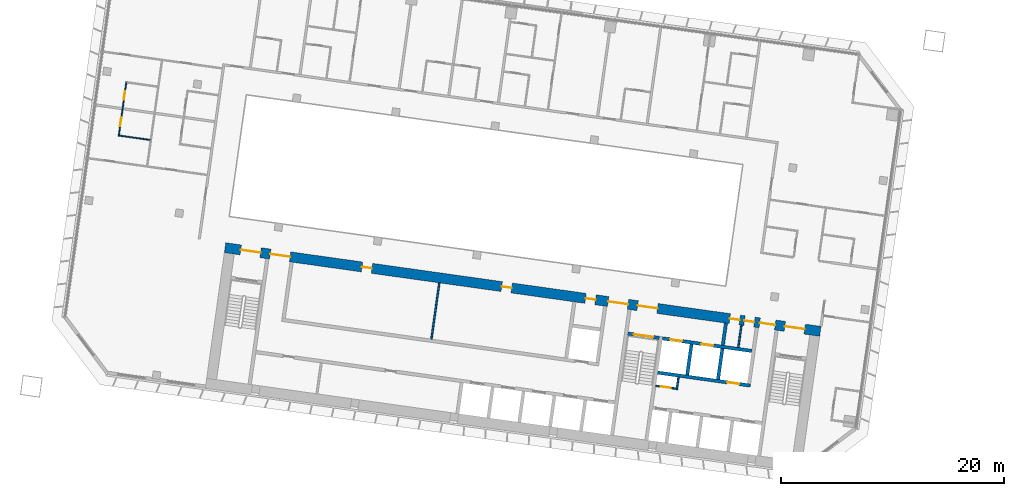
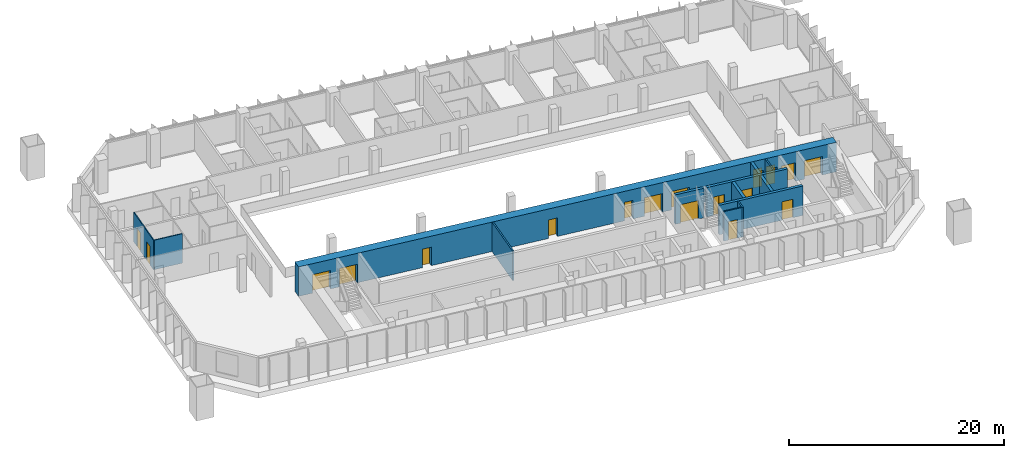
# One storey, part 15 of 25: 18 doors, 13 walls, 18 openings.
"""IFC4 building model written with IfcOpenShell, lengths in metres."""

from ifc_helpers import new_model, si_unit, direction, frame, frame_2d, origin, place, context, subcontext, project, spatial, rectangle, extrude, material, layer, layer_set, type_object, element, fill, save


model = new_model("IFC4")

# Units and contexts
model_context = context("Model", 3, precision=1e-05, world=origin(), true_north=direction((0.0, 1.0)))
body_context = subcontext(model_context, "Body", "Model", "MODEL_VIEW")
ifc_project = project(units=[si_unit("LENGTHUNIT", "METRE"), si_unit("AREAUNIT", "SQUARE_METRE"), si_unit("VOLUMEUNIT", "CUBIC_METRE"), si_unit("PLANEANGLEUNIT", "RADIAN"), si_unit("MASSUNIT", "GRAM", prefix="KILO")], contexts=[model_context])

# Site, building, storey
site_placement = place(None, origin())
site = spatial("IfcSite", under=ifc_project, at=site_placement, CompositionType="ELEMENT")
building_placement = place(site_placement, origin())
building = spatial("IfcBuilding", under=site, at=building_placement, Name="Mirante Cascada Hotel Towers", CompositionType="ELEMENT")
storey_placement = place(building_placement, frame((0.0, 0.0, 58.5)))
storey = spatial("IfcBuildingStorey", under=building, at=storey_placement, Name="L11", CompositionType="ELEMENT", Elevation=58.5)

# Wall
ifc_material_1 = material(Name="Masonry block", Category="masonry")
ifc_layer_1 = layer(ifc_material_1, 0.15)
ifc_layer_set_1 = layer_set([ifc_layer_1], Name="Core room partition 150 block EI 30")
wall_type_1 = type_object("IfcWallType", Name="Core room partition 150 block EI 30", PredefinedType="PARTITIONING", material=ifc_layer_set_1)
wall_1_placement = place(storey_placement, frame((-48.2295, -12.793, 0.0), z_axis=(0.0, 0.0, 1.0), x_axis=(0.1391935, 0.9902652, 0.0)))
element("IfcWall", 1, at=wall_1_placement, inside=storey, type_object=wall_type_1, Name="Core wall partition T1 L11 2", PredefinedType="PARTITIONING", context=body_context, shape_type="SweptSolid", body=[
    extrude(rectangle(XDim=1.1251, YDim=0.15, at=frame_2d((0.5626, 0.0))), origin(), (0.0, 0.0, 1.0), 3.35),
])

# Wall, opening, door
wall_2_placement = place(storey_placement, frame((-48.2933, -12.7083, 0.0), z_axis=(0.0, 0.0, 1.0), x_axis=(-0.990268, 0.1391734, 0.0)))
wall_2 = element("IfcWall", 2, at=wall_2_placement, inside=storey, type_object=wall_type_1, Name="Core wall partition T1 L11 3", PredefinedType="PARTITIONING", context=body_context, shape_type="SweptSolid", body=[
    extrude(rectangle(XDim=1.8251, YDim=0.15, at=frame_2d((0.9126, 0.0))), origin(), (0.0, 0.0, 1.0), 3.35),
])
opening_1_placement = place(wall_2_placement, frame((0.4625, 0.0, 0.0)))
opening_1 = element("IfcOpeningElement", 3, at=opening_1_placement, cuts=wall_2, Name="Opening D1-11-C23", PredefinedType="OPENING", context=body_context, shape_type="SweptSolid", body=[
    extrude(rectangle(XDim=0.9, YDim=2.1, at=frame_2d((0.45, 1.05))), frame((0.0, 0.075, 0.0), z_axis=(0.0, -1.0, 0.0), x_axis=(1.0, 0.0, 0.0)), (0.0, 0.0, 1.0), 0.15),
])
ifc_material_2 = material(Name="Hollow metal fire door leaf")
door_type_1 = type_object("IfcDoorType", Name="Fire door 900x2100 FD60", OperationType="NOTDEFINED", PredefinedType="DOOR", material=ifc_material_2)
door_1_placement = place(opening_1_placement, origin())
door_1 = element("IfcDoor", 4, at=door_1_placement, inside=storey, type_object=door_type_1, Name="Riser door T1 L11 23", OperationType="SINGLE_SWING_LEFT", OverallHeight=2.1, OverallWidth=0.9, PredefinedType="DOOR", context=body_context, shape_type="SweptSolid", body=[
    extrude(rectangle(XDim=0.9, YDim=2.1, at=frame_2d((0.45, 1.05))), frame((0.0, 0.025, 0.0), z_axis=(0.0, -1.0, 0.0), x_axis=(1.0, 0.0, 0.0)), (0.0, 0.0, 1.0), 0.05),
])
fill(opening_1, door_1)

# Walls
wall_3_placement = place(storey_placement, frame((-42.6979, -9.0009, 0.0), z_axis=(0.0, 0.0, 1.0), x_axis=(0.1391529, 0.9902709, 0.0)))
element("IfcWall", 5, at=wall_3_placement, inside=storey, type_object=wall_type_1, Name="Core wall partition T1 L11 4", PredefinedType="PARTITIONING", context=body_context, shape_type="SweptSolid", body=[
    extrude(rectangle(XDim=2.0, YDim=0.15, at=frame_2d((1.0, 0.0))), origin(), (0.0, 0.0, 1.0), 3.35),
])
wall_4_placement = place(storey_placement, frame((-70.2627, -8.2574, 0.0), z_axis=(0.0, 0.0, 1.0), x_axis=(0.1391755, 0.9902677, 0.0)))
element("IfcWall", 6, at=wall_4_placement, inside=storey, type_object=wall_type_1, Name="Core wall partition T1 L11 6", PredefinedType="PARTITIONING", context=body_context, shape_type="SweptSolid", body=[
    extrude(rectangle(XDim=5.1, YDim=0.15, at=frame_2d((2.55, 0.0))), origin(), (0.0, 0.0, 1.0), 3.35),
])
ifc_material_3 = material(Name="Masonry block", Category="masonry")
ifc_layer_2 = layer(ifc_material_3, 0.3)
ifc_layer_set_2 = layer_set([ifc_layer_2], Name="Core wall 300 block EI 120")
wall_type_2 = type_object("IfcWallType", Name="Core wall 300 block EI 120", PredefinedType="PARTITIONING", material=ifc_layer_set_2)
wall_5_placement = place(storey_placement, frame((-44.0843, -8.8061, 0.0), z_axis=(0.0, 0.0, 1.0), x_axis=(0.1391951, 0.990265, 0.0)))
element("IfcWall", 7, at=wall_5_placement, inside=storey, type_object=wall_type_2, Name="Core wall partition T1 L11 1", PredefinedType="PARTITIONING", context=body_context, shape_type="SweptSolid", body=[
    extrude(rectangle(XDim=2.0001, YDim=0.3, at=frame_2d((1.0001, 0.0))), origin(), (0.0, 0.0, 1.0), 3.35),
])
ifc_material_4 = material(Name="Plasterboard on metal studs")
ifc_layer_3 = layer(ifc_material_4, 0.1)
ifc_layer_set_3 = layer_set([ifc_layer_3], Name="Partition 100")
wall_type_3 = type_object("IfcWallType", Name="Partition 100", PredefinedType="PARTITIONING", material=ifc_layer_set_3)
wall_6_placement = place(storey_placement, frame((-98.2916, 10.0213, 0.0), z_axis=(0.0, 0.0, 1.0), x_axis=(0.9902726, -0.139141, 0.0)))
element("IfcWall", 8, at=wall_6_placement, inside=storey, type_object=wall_type_3, Name="Wall 1-L11-11", PredefinedType="PARTITIONING", context=body_context, shape_type="SweptSolid", body=[
    extrude(rectangle(XDim=2.8, YDim=0.1, at=frame_2d((1.4, 0.0))), origin(), (0.0, 0.0, 1.0), 3.35),
])

# Wall, openings, doors
wall_7_placement = place(storey_placement, frame((-98.348, 9.9788, 0.0), z_axis=(0.0, 0.0, 1.0), x_axis=(0.1391564, 0.9902704, 0.0)))
wall_7 = element("IfcWall", 9, at=wall_7_placement, inside=storey, type_object=wall_type_3, Name="Wall 1-L11-62", PredefinedType="PARTITIONING", context=body_context, shape_type="SweptSolid", body=[
    extrude(rectangle(XDim=4.9333, YDim=0.1, at=frame_2d((2.4666, 0.0))), origin(), (0.0, 0.0, 1.0), 3.35),
])
opening_2_placement = place(wall_7_placement, frame((0.8833, 0.0, 0.0)))
opening_2 = element("IfcOpeningElement", 10, at=opening_2_placement, cuts=wall_7, Name="Opening D1-L11-41", PredefinedType="OPENING", context=body_context, shape_type="SweptSolid", body=[
    extrude(rectangle(XDim=0.8, YDim=2.1, at=frame_2d((0.4, 1.05))), frame((0.0, 0.05, 0.0), z_axis=(0.0, -1.0, 0.0), x_axis=(1.0, 0.0, 0.0)), (0.0, 0.0, 1.0), 0.1),
])
opening_3_placement = place(wall_7_placement, frame((3.2833, 0.0, 0.0)))
opening_3 = element("IfcOpeningElement", 11, at=opening_3_placement, cuts=wall_7, Name="Opening D1-L11-42", PredefinedType="OPENING", context=body_context, shape_type="SweptSolid", body=[
    extrude(rectangle(XDim=0.8, YDim=2.1, at=frame_2d((0.4, 1.05))), frame((0.0, 0.05, 0.0), z_axis=(0.0, -1.0, 0.0), x_axis=(1.0, 0.0, 0.0)), (0.0, 0.0, 1.0), 0.1),
])
ifc_material_5 = material(Name="Timber door leaf", Category="wood")
door_type_2 = type_object("IfcDoorType", Name="Bathroom door DG4 800x2100", OperationType="SINGLE_SWING_LEFT", PredefinedType="DOOR", material=ifc_material_5)
door_2_placement = place(opening_2_placement, origin())
door_2 = element("IfcDoor", 12, at=door_2_placement, inside=storey, type_object=door_type_2, Name="Door D1-L11-41", OperationType="SINGLE_SWING_LEFT", OverallHeight=2.1, OverallWidth=0.8, PredefinedType="DOOR", context=body_context, shape_type="SweptSolid", body=[
    extrude(rectangle(XDim=0.8, YDim=2.1, at=frame_2d((0.4, 1.05))), frame((0.0, 0.025, 0.0), z_axis=(0.0, -1.0, 0.0), x_axis=(1.0, 0.0, 0.0)), (0.0, 0.0, 1.0), 0.05),
])
fill(opening_2, door_2)
door_3_placement = place(opening_3_placement, frame((0.8, 0.0, 0.0), z_axis=(0.0, 0.0, 1.0), x_axis=(-1.0, 0.0, 0.0)))
door_3 = element("IfcDoor", 13, at=door_3_placement, inside=storey, type_object=door_type_2, Name="Door D1-L11-42", OperationType="SINGLE_SWING_RIGHT", OverallHeight=2.1, OverallWidth=0.8, PredefinedType="DOOR", context=body_context, shape_type="SweptSolid", body=[
    extrude(rectangle(XDim=0.8, YDim=2.1, at=frame_2d((0.4, 1.05))), frame((0.0, 0.025, 0.0), z_axis=(0.0, -1.0, 0.0), x_axis=(1.0, 0.0, 0.0)), (0.0, 0.0, 1.0), 0.05),
])
fill(opening_3, door_3)

# Wall, opening, door
ifc_material_6 = material(Name="Concrete C50/60", Category="concrete")
ifc_layer_4 = layer(ifc_material_6, 0.3)
ifc_layer_set_4 = layer_set([ifc_layer_4], Name="RC core wall 300 C50/60")
wall_type_4 = type_object("IfcWallType", Name="RC core wall 300 C50/60", PredefinedType="SHEAR", material=ifc_layer_set_4)
wall_8_placement = place(storey_placement, frame((-49.7992, -8.1544, 0.0), z_axis=(0.0, 0.0, 1.0), x_axis=(-0.9902656, 0.1391909, 0.0)))
wall_8 = element("IfcWall", 14, at=wall_8_placement, inside=storey, type_object=wall_type_4, Name="Core wall T1:L11:10", PredefinedType="SHEAR", context=body_context, shape_type="SweptSolid", body=[
    extrude(rectangle(XDim=2.85, YDim=0.3, at=frame_2d((1.425, 0.0))), origin(), (0.0, 0.0, 1.0), 3.35),
])
opening_4_placement = place(wall_8_placement, frame((0.525, 0.0, 0.0)))
opening_4 = element("IfcOpeningElement", 15, at=opening_4_placement, cuts=wall_8, Name="Opening D1-11-C15", PredefinedType="OPENING", context=body_context, shape_type="SweptSolid", body=[
    extrude(rectangle(XDim=1.8, YDim=2.1, at=frame_2d((0.9, 1.05))), frame((0.0, 0.15, 0.0), z_axis=(0.0, -1.0, 0.0), x_axis=(1.0, 0.0, 0.0)), (0.0, 0.0, 1.0), 0.3),
])
ifc_material_7 = material(Name="Hollow metal fire door leaf")
door_type_3 = type_object("IfcDoorType", Name="Double fire door 1800x2100 FD60", OperationType="DOUBLE_DOOR_SINGLE_SWING", PredefinedType="DOOR", material=ifc_material_7)
door_4_placement = place(opening_4_placement, origin())
door_4 = element("IfcDoor", 16, at=door_4_placement, inside=storey, type_object=door_type_3, Name="Stair door T1 L11 15", OperationType="DOUBLE_DOOR_SINGLE_SWING", OverallHeight=2.1, OverallWidth=1.8, PredefinedType="DOOR", context=body_context, shape_type="SweptSolid", body=[
    extrude(rectangle(XDim=0.895, YDim=2.1, at=frame_2d((0.4475, 1.05))), frame((0.0, 0.025, 0.0), z_axis=(0.0, -1.0, 0.0), x_axis=(1.0, 0.0, 0.0)), (0.0, 0.0, 1.0), 0.05),
    extrude(rectangle(XDim=0.895, YDim=2.1, at=frame_2d((1.3525, 1.05))), frame((0.0, 0.025, 0.0), z_axis=(0.0, -1.0, 0.0), x_axis=(1.0, 0.0, 0.0)), (0.0, 0.0, 1.0), 0.05),
])
fill(opening_4, door_4)

wall_9_placement = place(storey_placement, frame((-41.6153, -12.435, 0.0), z_axis=(0.0, 0.0, 1.0), x_axis=(-0.9902691, 0.139166, 0.0)))
wall_9 = element("IfcWall", 17, at=wall_9_placement, inside=storey, type_object=wall_type_4, Name="Core wall T1:L11:13", PredefinedType="SHEAR", context=body_context, shape_type="SweptSolid", body=[
    extrude(rectangle(XDim=8.4, YDim=0.3, at=frame_2d((4.2, 0.0))), origin(), (0.0, 0.0, 1.0), 3.35),
])
opening_5_placement = place(wall_9_placement, frame((1.0, 0.0, 0.0)))
opening_5 = element("IfcOpeningElement", 18, at=opening_5_placement, cuts=wall_9, Name="Opening LD", PredefinedType="OPENING", context=body_context, shape_type="SweptSolid", body=[
    extrude(rectangle(XDim=1.1, YDim=2.1, at=frame_2d((0.55, 1.05))), frame((0.0, 0.15, 0.0), z_axis=(0.0, -1.0, 0.0), x_axis=(1.0, 0.0, 0.0)), (0.0, 0.0, 1.0), 0.3),
])
ifc_material_8 = material(Name="Stainless steel", Category="steel")
door_type_4 = type_object("IfcDoorType", Name="Lift landing door 1100x2100 EI 120", OperationType="DOUBLE_DOOR_SLIDING", PredefinedType="DOOR", material=ifc_material_8)
door_5_placement = place(opening_5_placement, origin())
door_5 = element("IfcDoor", 19, at=door_5_placement, inside=storey, type_object=door_type_4, Name="Lift landing door HR1-4 L11", OperationType="DOUBLE_DOOR_SLIDING", OverallHeight=2.1, OverallWidth=1.1, PredefinedType="DOOR", context=body_context, shape_type="SweptSolid", body=[
    extrude(rectangle(XDim=0.545, YDim=2.1, at=frame_2d((0.2725, 1.05))), frame((0.0, 0.025, 0.0), z_axis=(0.0, -1.0, 0.0), x_axis=(1.0, 0.0, 0.0)), (0.0, 0.0, 1.0), 0.05),
    extrude(rectangle(XDim=0.545, YDim=2.1, at=frame_2d((0.8275, 1.05))), frame((0.0, 0.025, 0.0), z_axis=(0.0, -1.0, 0.0), x_axis=(1.0, 0.0, 0.0)), (0.0, 0.0, 1.0), 0.05),
])
fill(opening_5, door_5)

# Wall, openings, doors
wall_10_placement = place(storey_placement, frame((-41.481, -9.3234, 0.0), z_axis=(0.0, 0.0, 1.0), x_axis=(-0.9902679, 0.1391741, 0.0)))
wall_10 = element("IfcWall", 20, at=wall_10_placement, inside=storey, type_object=wall_type_4, Name="Core wall T1:L11:14", PredefinedType="SHEAR", context=body_context, shape_type="SweptSolid", body=[
    extrude(rectangle(XDim=8.0999, YDim=0.3, at=frame_2d((4.05, 0.0))), origin(), (0.0, 0.0, 1.0), 3.35),
])
opening_6_placement = place(wall_10_placement, frame((3.5, 0.0, 0.0)))
opening_6 = element("IfcOpeningElement", 21, at=opening_6_placement, cuts=wall_10, Name="Opening LD", PredefinedType="OPENING", context=body_context, shape_type="SweptSolid", body=[
    extrude(rectangle(XDim=1.1, YDim=2.1, at=frame_2d((0.55, 1.05))), frame((0.0, 0.15, 0.0), z_axis=(0.0, -1.0, 0.0), x_axis=(1.0, 0.0, 0.0)), (0.0, 0.0, 1.0), 0.3),
])
opening_7_placement = place(wall_10_placement, frame((6.3, 0.0, 0.0)))
opening_7 = element("IfcOpeningElement", 22, at=opening_7_placement, cuts=wall_10, Name="Opening LD", PredefinedType="OPENING", context=body_context, shape_type="SweptSolid", body=[
    extrude(rectangle(XDim=1.1, YDim=2.1, at=frame_2d((0.55, 1.05))), frame((0.0, 0.15, 0.0), z_axis=(0.0, -1.0, 0.0), x_axis=(1.0, 0.0, 0.0)), (0.0, 0.0, 1.0), 0.3),
])
door_6_placement = place(opening_6_placement, origin())
door_6 = element("IfcDoor", 23, at=door_6_placement, inside=storey, type_object=door_type_4, Name="Lift landing door FF1 L11", OperationType="DOUBLE_DOOR_SLIDING", OverallHeight=2.1, OverallWidth=1.1, PredefinedType="DOOR", context=body_context, shape_type="SweptSolid", body=[
    extrude(rectangle(XDim=0.545, YDim=2.1, at=frame_2d((0.2725, 1.05))), frame((0.0, 0.025, 0.0), z_axis=(0.0, -1.0, 0.0), x_axis=(1.0, 0.0, 0.0)), (0.0, 0.0, 1.0), 0.05),
    extrude(rectangle(XDim=0.545, YDim=2.1, at=frame_2d((0.8275, 1.05))), frame((0.0, 0.025, 0.0), z_axis=(0.0, -1.0, 0.0), x_axis=(1.0, 0.0, 0.0)), (0.0, 0.0, 1.0), 0.05),
])
fill(opening_6, door_6)
door_7_placement = place(opening_7_placement, origin())
door_7 = element("IfcDoor", 24, at=door_7_placement, inside=storey, type_object=door_type_4, Name="Lift landing door FF2 L11", OperationType="DOUBLE_DOOR_SLIDING", OverallHeight=2.1, OverallWidth=1.1, PredefinedType="DOOR", context=body_context, shape_type="SweptSolid", body=[
    extrude(rectangle(XDim=0.545, YDim=2.1, at=frame_2d((0.2725, 1.05))), frame((0.0, 0.025, 0.0), z_axis=(0.0, -1.0, 0.0), x_axis=(1.0, 0.0, 0.0)), (0.0, 0.0, 1.0), 0.05),
    extrude(rectangle(XDim=0.545, YDim=2.1, at=frame_2d((0.8275, 1.05))), frame((0.0, 0.025, 0.0), z_axis=(0.0, -1.0, 0.0), x_axis=(1.0, 0.0, 0.0)), (0.0, 0.0, 1.0), 0.05),
])
fill(opening_7, door_7)

# Walls
for number, where, z_axis, x_axis, name in (
    (25, (-44.5157, -11.8759, 0.0), (0.0, 0.0, 1.0), (0.139181, 0.990267, 0.0), "Core wall T1:L11:18"),
    (26, (-47.2885, -11.4862, 0.0), (0.0, 0.0, 1.0), (0.139181, 0.990267, 0.0), "Core wall T1:L11:19"),
):
    element("IfcWall", number, at=place(storey_placement, frame(where, z_axis=z_axis, x_axis=x_axis)), inside=storey, type_object=wall_type_4, Name=name, PredefinedType="SHEAR", context=body_context, shape_type="SweptSolid", body=[
        extrude(rectangle(XDim=2.8, YDim=0.3, at=frame_2d((1.4, 0.0))), origin(), (0.0, 0.0, 1.0), 3.35),
    ])

# Wall, openings, doors
ifc_material_9 = material(Name="Concrete C50/60", Category="concrete")
ifc_layer_5 = layer(ifc_material_9, 0.9)
ifc_layer_set_5 = layer_set([ifc_layer_5], Name="RC core wall 900 C50/60")
wall_type_5 = type_object("IfcWallType", Name="RC core wall 900 C50/60", PredefinedType="SHEAR", material=ifc_layer_set_5)
wall_11_placement = place(storey_placement, frame((-35.326, -7.5629, 0.0), z_axis=(0.0, 0.0, 1.0), x_axis=(-0.9902679, 0.139174, 0.0)))
wall_11 = element("IfcWall", 27, at=wall_11_placement, inside=storey, type_object=wall_type_5, Name="Core wall T1:L11:2", PredefinedType="SHEAR", context=body_context, shape_type="SweptSolid", body=[
    extrude(rectangle(XDim=54.0, YDim=0.9, at=frame_2d((27.0, 0.0))), origin(), (0.0, 0.0, 1.0), 3.35),
])
opening_8_placement = place(wall_11_placement, frame((1.425, 0.0, 0.0)))
opening_8 = element("IfcOpeningElement", 28, at=opening_8_placement, cuts=wall_11, Name="Opening D1-11-C14", PredefinedType="OPENING", context=body_context, shape_type="SweptSolid", body=[
    extrude(rectangle(XDim=1.8, YDim=2.1, at=frame_2d((0.9, 1.05))), frame((0.0, 0.45, 0.0), z_axis=(0.0, -1.0, 0.0), x_axis=(1.0, 0.0, 0.0)), (0.0, 0.0, 1.0), 0.9),
])
opening_9_placement = place(wall_11_placement, frame((14.775, 0.0, 0.0)))
opening_9 = element("IfcOpeningElement", 29, at=opening_9_placement, cuts=wall_11, Name="Opening D1-11-C16", PredefinedType="OPENING", context=body_context, shape_type="SweptSolid", body=[
    extrude(rectangle(XDim=1.8, YDim=2.1, at=frame_2d((0.9, 1.05))), frame((0.0, 0.45, 0.0), z_axis=(0.0, -1.0, 0.0), x_axis=(1.0, 0.0, 0.0)), (0.0, 0.0, 1.0), 0.9),
])
opening_10_placement = place(wall_11_placement, frame((50.775, 0.0, 0.0)))
opening_10 = element("IfcOpeningElement", 30, at=opening_10_placement, cuts=wall_11, Name="Opening D1-11-C18", PredefinedType="OPENING", context=body_context, shape_type="SweptSolid", body=[
    extrude(rectangle(XDim=1.8, YDim=2.1, at=frame_2d((0.9, 1.05))), frame((0.0, 0.45, 0.0), z_axis=(0.0, -1.0, 0.0), x_axis=(1.0, 0.0, 0.0)), (0.0, 0.0, 1.0), 0.9),
])
opening_11_placement = place(wall_11_placement, frame((4.1, 0.0, 0.0)))
opening_11 = element("IfcOpeningElement", 31, at=opening_11_placement, cuts=wall_11, Name="Opening D1-11-C19", PredefinedType="OPENING", context=body_context, shape_type="SweptSolid", body=[
    extrude(rectangle(XDim=1.4, YDim=2.1, at=frame_2d((0.7, 1.05))), frame((0.0, 0.45, 0.0), z_axis=(0.0, -1.0, 0.0), x_axis=(1.0, 0.0, 0.0)), (0.0, 0.0, 1.0), 0.9),
])
opening_12_placement = place(wall_11_placement, frame((17.45, 0.0, 0.0)))
opening_12 = element("IfcOpeningElement", 32, at=opening_12_placement, cuts=wall_11, Name="Opening D1-11-C20", PredefinedType="OPENING", context=body_context, shape_type="SweptSolid", body=[
    extrude(rectangle(XDim=1.8, YDim=2.1, at=frame_2d((0.9, 1.05))), frame((0.0, 0.45, 0.0), z_axis=(0.0, -1.0, 0.0), x_axis=(1.0, 0.0, 0.0)), (0.0, 0.0, 1.0), 0.9),
])
opening_13_placement = place(wall_11_placement, frame((48.1, 0.0, 0.0)))
opening_13 = element("IfcOpeningElement", 33, at=opening_13_placement, cuts=wall_11, Name="Opening D1-11-C21", PredefinedType="OPENING", context=body_context, shape_type="SweptSolid", body=[
    extrude(rectangle(XDim=1.8, YDim=2.1, at=frame_2d((0.9, 1.05))), frame((0.0, 0.45, 0.0), z_axis=(0.0, -1.0, 0.0), x_axis=(1.0, 0.0, 0.0)), (0.0, 0.0, 1.0), 0.9),
])
opening_14_placement = place(wall_11_placement, frame((5.9875, 0.0, 0.0)))
opening_14 = element("IfcOpeningElement", 34, at=opening_14_placement, cuts=wall_11, Name="Opening D1-11-C24", PredefinedType="OPENING", context=body_context, shape_type="SweptSolid", body=[
    extrude(rectangle(XDim=0.9, YDim=2.1, at=frame_2d((0.45, 1.05))), frame((0.0, 0.45, 0.0), z_axis=(0.0, -1.0, 0.0), x_axis=(1.0, 0.0, 0.0)), (0.0, 0.0, 1.0), 0.9),
])
opening_15_placement = place(wall_11_placement, frame((7.3125, 0.0, 0.0)))
opening_15 = element("IfcOpeningElement", 35, at=opening_15_placement, cuts=wall_11, Name="Opening D1-11-C25", PredefinedType="OPENING", context=body_context, shape_type="SweptSolid", body=[
    extrude(rectangle(XDim=0.9, YDim=2.1, at=frame_2d((0.45, 1.05))), frame((0.0, 0.45, 0.0), z_axis=(0.0, -1.0, 0.0), x_axis=(1.0, 0.0, 0.0)), (0.0, 0.0, 1.0), 0.9),
])
opening_16_placement = place(wall_11_placement, frame((20.4, 0.0, 0.0)))
opening_16 = element("IfcOpeningElement", 36, at=opening_16_placement, cuts=wall_11, Name="Opening D1-11-C28", PredefinedType="OPENING", context=body_context, shape_type="SweptSolid", body=[
    extrude(rectangle(XDim=0.9, YDim=2.1, at=frame_2d((0.45, 1.05))), frame((0.0, 0.45, 0.0), z_axis=(0.0, -1.0, 0.0), x_axis=(1.0, 0.0, 0.0)), (0.0, 0.0, 1.0), 0.9),
])
opening_17_placement = place(wall_11_placement, frame((28.0, 0.0, 0.0)))
opening_17 = element("IfcOpeningElement", 37, at=opening_17_placement, cuts=wall_11, Name="Opening D1-11-C29", PredefinedType="OPENING", context=body_context, shape_type="SweptSolid", body=[
    extrude(rectangle(XDim=0.9, YDim=2.1, at=frame_2d((0.45, 1.05))), frame((0.0, 0.45, 0.0), z_axis=(0.0, -1.0, 0.0), x_axis=(1.0, 0.0, 0.0)), (0.0, 0.0, 1.0), 0.9),
])
opening_18_placement = place(wall_11_placement, frame((40.675, 0.0, 0.0)))
opening_18 = element("IfcOpeningElement", 38, at=opening_18_placement, cuts=wall_11, Name="Opening D1-11-C30", PredefinedType="OPENING", context=body_context, shape_type="SweptSolid", body=[
    extrude(rectangle(XDim=0.9, YDim=2.1, at=frame_2d((0.45, 1.05))), frame((0.0, 0.45, 0.0), z_axis=(0.0, -1.0, 0.0), x_axis=(1.0, 0.0, 0.0)), (0.0, 0.0, 1.0), 0.9),
])
ifc_material_10 = material(Name="Hollow metal fire door leaf")
door_type_5 = type_object("IfcDoorType", Name="Double fire door 1400x2100 FD60", OperationType="DOUBLE_DOOR_SINGLE_SWING", PredefinedType="DOOR", material=ifc_material_10)
door_8_placement = place(opening_11_placement, frame((1.4, 0.0, 0.0), z_axis=(0.0, 0.0, 1.0), x_axis=(-1.0, 0.0, 0.0)))
door_8 = element("IfcDoor", 39, at=door_8_placement, inside=storey, type_object=door_type_5, Name="Exit door to gallery T1 L11 19", OperationType="DOUBLE_DOOR_SINGLE_SWING", OverallHeight=2.1, OverallWidth=1.4, PredefinedType="DOOR", context=body_context, shape_type="SweptSolid", body=[
    extrude(rectangle(XDim=0.695, YDim=2.1, at=frame_2d((0.3475, 1.05))), frame((0.0, 0.025, 0.0), z_axis=(0.0, -1.0, 0.0), x_axis=(1.0, 0.0, 0.0)), (0.0, 0.0, 1.0), 0.05),
    extrude(rectangle(XDim=0.695, YDim=2.1, at=frame_2d((1.0525, 1.05))), frame((0.0, 0.025, 0.0), z_axis=(0.0, -1.0, 0.0), x_axis=(1.0, 0.0, 0.0)), (0.0, 0.0, 1.0), 0.05),
])
fill(opening_11, door_8)
door_9_placement = place(opening_8_placement, origin())
door_9 = element("IfcDoor", 40, at=door_9_placement, inside=storey, type_object=door_type_3, Name="Exit door to gallery T1 L11 14", OperationType="DOUBLE_DOOR_SINGLE_SWING", OverallHeight=2.1, OverallWidth=1.8, PredefinedType="DOOR", context=body_context, shape_type="SweptSolid", body=[
    extrude(rectangle(XDim=0.895, YDim=2.1, at=frame_2d((0.4475, 1.05))), frame((0.0, 0.025, 0.0), z_axis=(0.0, -1.0, 0.0), x_axis=(1.0, 0.0, 0.0)), (0.0, 0.0, 1.0), 0.05),
    extrude(rectangle(XDim=0.895, YDim=2.1, at=frame_2d((1.3525, 1.05))), frame((0.0, 0.025, 0.0), z_axis=(0.0, -1.0, 0.0), x_axis=(1.0, 0.0, 0.0)), (0.0, 0.0, 1.0), 0.05),
])
fill(opening_8, door_9)
door_10_placement = place(opening_9_placement, origin())
door_10 = element("IfcDoor", 41, at=door_10_placement, inside=storey, type_object=door_type_3, Name="Exit door to gallery T1 L11 16", OperationType="DOUBLE_DOOR_SINGLE_SWING", OverallHeight=2.1, OverallWidth=1.8, PredefinedType="DOOR", context=body_context, shape_type="SweptSolid", body=[
    extrude(rectangle(XDim=0.895, YDim=2.1, at=frame_2d((0.4475, 1.05))), frame((0.0, 0.025, 0.0), z_axis=(0.0, -1.0, 0.0), x_axis=(1.0, 0.0, 0.0)), (0.0, 0.0, 1.0), 0.05),
    extrude(rectangle(XDim=0.895, YDim=2.1, at=frame_2d((1.3525, 1.05))), frame((0.0, 0.025, 0.0), z_axis=(0.0, -1.0, 0.0), x_axis=(1.0, 0.0, 0.0)), (0.0, 0.0, 1.0), 0.05),
])
fill(opening_9, door_10)
door_11_placement = place(opening_10_placement, origin())
door_11 = element("IfcDoor", 42, at=door_11_placement, inside=storey, type_object=door_type_3, Name="Exit door to gallery T1 L11 18", OperationType="DOUBLE_DOOR_SINGLE_SWING", OverallHeight=2.1, OverallWidth=1.8, PredefinedType="DOOR", context=body_context, shape_type="SweptSolid", body=[
    extrude(rectangle(XDim=0.895, YDim=2.1, at=frame_2d((0.4475, 1.05))), frame((0.0, 0.025, 0.0), z_axis=(0.0, -1.0, 0.0), x_axis=(1.0, 0.0, 0.0)), (0.0, 0.0, 1.0), 0.05),
    extrude(rectangle(XDim=0.895, YDim=2.1, at=frame_2d((1.3525, 1.05))), frame((0.0, 0.025, 0.0), z_axis=(0.0, -1.0, 0.0), x_axis=(1.0, 0.0, 0.0)), (0.0, 0.0, 1.0), 0.05),
])
fill(opening_10, door_11)
door_12_placement = place(opening_12_placement, frame((1.8, 0.0, 0.0), z_axis=(0.0, 0.0, 1.0), x_axis=(-1.0, 0.0, 0.0)))
door_12 = element("IfcDoor", 43, at=door_12_placement, inside=storey, type_object=door_type_3, Name="Exit door to gallery T1 L11 20", OperationType="DOUBLE_DOOR_SINGLE_SWING", OverallHeight=2.1, OverallWidth=1.8, PredefinedType="DOOR", context=body_context, shape_type="SweptSolid", body=[
    extrude(rectangle(XDim=0.895, YDim=2.1, at=frame_2d((0.4475, 1.05))), frame((0.0, 0.025, 0.0), z_axis=(0.0, -1.0, 0.0), x_axis=(1.0, 0.0, 0.0)), (0.0, 0.0, 1.0), 0.05),
    extrude(rectangle(XDim=0.895, YDim=2.1, at=frame_2d((1.3525, 1.05))), frame((0.0, 0.025, 0.0), z_axis=(0.0, -1.0, 0.0), x_axis=(1.0, 0.0, 0.0)), (0.0, 0.0, 1.0), 0.05),
])
fill(opening_12, door_12)
door_13_placement = place(opening_13_placement, frame((1.8, 0.0, 0.0), z_axis=(0.0, 0.0, 1.0), x_axis=(-1.0, 0.0, 0.0)))
door_13 = element("IfcDoor", 44, at=door_13_placement, inside=storey, type_object=door_type_3, Name="Exit door to gallery T1 L11 21", OperationType="DOUBLE_DOOR_SINGLE_SWING", OverallHeight=2.1, OverallWidth=1.8, PredefinedType="DOOR", context=body_context, shape_type="SweptSolid", body=[
    extrude(rectangle(XDim=0.895, YDim=2.1, at=frame_2d((0.4475, 1.05))), frame((0.0, 0.025, 0.0), z_axis=(0.0, -1.0, 0.0), x_axis=(1.0, 0.0, 0.0)), (0.0, 0.0, 1.0), 0.05),
    extrude(rectangle(XDim=0.895, YDim=2.1, at=frame_2d((1.3525, 1.05))), frame((0.0, 0.025, 0.0), z_axis=(0.0, -1.0, 0.0), x_axis=(1.0, 0.0, 0.0)), (0.0, 0.0, 1.0), 0.05),
])
fill(opening_13, door_13)
door_14_placement = place(opening_14_placement, origin())
door_14 = element("IfcDoor", 45, at=door_14_placement, inside=storey, type_object=door_type_1, Name="Room door T1 L11 24", OperationType="SINGLE_SWING_RIGHT", OverallHeight=2.1, OverallWidth=0.9, PredefinedType="DOOR", context=body_context, shape_type="SweptSolid", body=[
    extrude(rectangle(XDim=0.9, YDim=2.1, at=frame_2d((0.45, 1.05))), frame((0.0, 0.025, 0.0), z_axis=(0.0, -1.0, 0.0), x_axis=(1.0, 0.0, 0.0)), (0.0, 0.0, 1.0), 0.05),
])
fill(opening_14, door_14)
door_15_placement = place(opening_15_placement, origin())
door_15 = element("IfcDoor", 46, at=door_15_placement, inside=storey, type_object=door_type_1, Name="Room door T1 L11 25", OperationType="SINGLE_SWING_RIGHT", OverallHeight=2.1, OverallWidth=0.9, PredefinedType="DOOR", context=body_context, shape_type="SweptSolid", body=[
    extrude(rectangle(XDim=0.9, YDim=2.1, at=frame_2d((0.45, 1.05))), frame((0.0, 0.025, 0.0), z_axis=(0.0, -1.0, 0.0), x_axis=(1.0, 0.0, 0.0)), (0.0, 0.0, 1.0), 0.05),
])
fill(opening_15, door_15)
door_16_placement = place(opening_16_placement, origin())
door_16 = element("IfcDoor", 47, at=door_16_placement, inside=storey, type_object=door_type_1, Name="Room door T1 L11 28", OperationType="SINGLE_SWING_RIGHT", OverallHeight=2.1, OverallWidth=0.9, PredefinedType="DOOR", context=body_context, shape_type="SweptSolid", body=[
    extrude(rectangle(XDim=0.9, YDim=2.1, at=frame_2d((0.45, 1.05))), frame((0.0, 0.025, 0.0), z_axis=(0.0, -1.0, 0.0), x_axis=(1.0, 0.0, 0.0)), (0.0, 0.0, 1.0), 0.05),
])
fill(opening_16, door_16)
door_17_placement = place(opening_17_placement, origin())
door_17 = element("IfcDoor", 48, at=door_17_placement, inside=storey, type_object=door_type_1, Name="Room door T1 L11 29", OperationType="SINGLE_SWING_LEFT", OverallHeight=2.1, OverallWidth=0.9, PredefinedType="DOOR", context=body_context, shape_type="SweptSolid", body=[
    extrude(rectangle(XDim=0.9, YDim=2.1, at=frame_2d((0.45, 1.05))), frame((0.0, 0.025, 0.0), z_axis=(0.0, -1.0, 0.0), x_axis=(1.0, 0.0, 0.0)), (0.0, 0.0, 1.0), 0.05),
])
fill(opening_17, door_17)
door_18_placement = place(opening_18_placement, origin())
door_18 = element("IfcDoor", 49, at=door_18_placement, inside=storey, type_object=door_type_1, Name="Room door T1 L11 30", OperationType="SINGLE_SWING_LEFT", OverallHeight=2.1, OverallWidth=0.9, PredefinedType="DOOR", context=body_context, shape_type="SweptSolid", body=[
    extrude(rectangle(XDim=0.9, YDim=2.1, at=frame_2d((0.45, 1.05))), frame((0.0, 0.025, 0.0), z_axis=(0.0, -1.0, 0.0), x_axis=(1.0, 0.0, 0.0)), (0.0, 0.0, 1.0), 0.05),
])
fill(opening_18, door_18)

save(model, "model.ifc")
